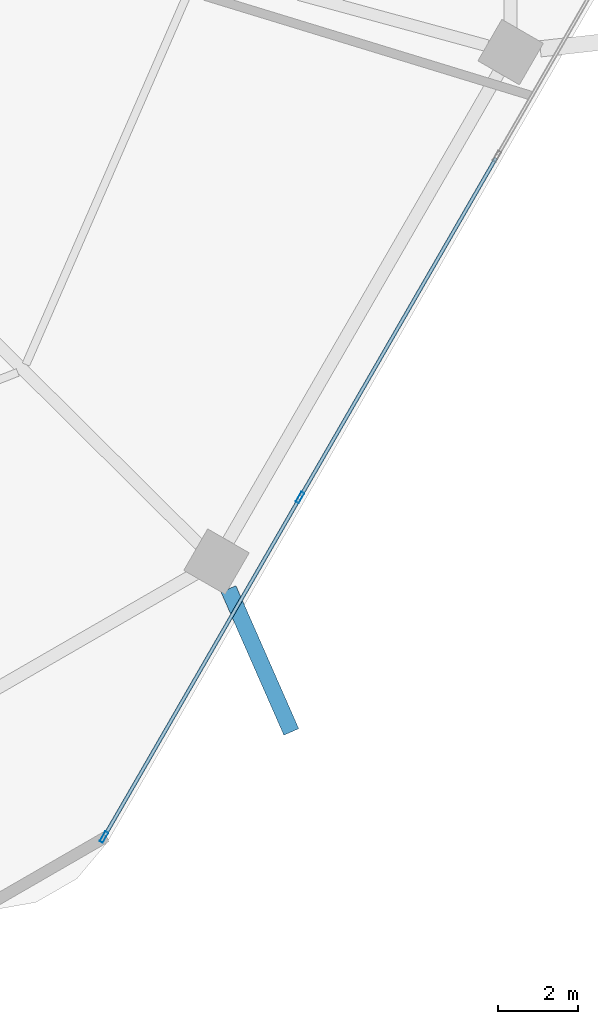
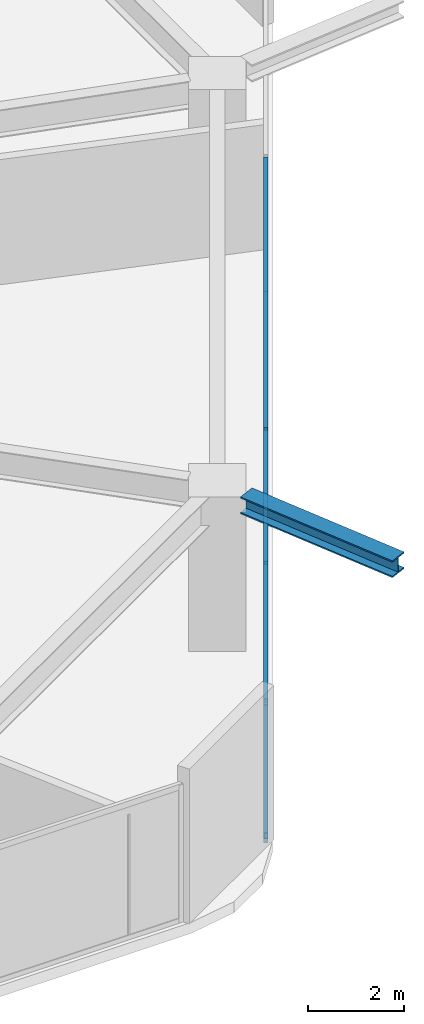
# One storey, part 9 of 25: 6 members, 1 beam, 1 element without a shape of its own.
"""IFC4 building model written with IfcOpenShell, lengths in metres."""

from ifc_helpers import new_model, si_unit, direction, frame, origin, origin_2d, place, context, subcontext, project, spatial, hollow_rectangle, i_section, extrude, material, material_profile, profile_set, type_object, element, aggregate, save


model = new_model("IFC4")

# Units and contexts
model_context = context("Model", 3, precision=1e-05, world=origin(), true_north=direction((0.0, 1.0)))
body_context = subcontext(model_context, "Body", "Model", "MODEL_VIEW")
ifc_project = project(units=[si_unit("LENGTHUNIT", "METRE"), si_unit("AREAUNIT", "SQUARE_METRE"), si_unit("VOLUMEUNIT", "CUBIC_METRE"), si_unit("PLANEANGLEUNIT", "RADIAN"), si_unit("MASSUNIT", "GRAM", prefix="KILO")], contexts=[model_context])

# Site, building, storey
site_placement = place(None, origin())
site = spatial("IfcSite", under=ifc_project, at=site_placement, CompositionType="ELEMENT")
building_placement = place(site_placement, origin())
building = spatial("IfcBuilding", under=site, at=building_placement, Name="Zuhravey Tower", CompositionType="ELEMENT")
storey_placement = place(building_placement, frame((0.0, 0.0, 54.0)))
storey = spatial("IfcBuildingStorey", under=building, at=storey_placement, Name="L13", CompositionType="ELEMENT", Elevation=54.0)

# Curtain wall, members
ifc_material_1 = material(Name="Thermally broken anodised aluminium", Category="aluminium")
curtain_wall_type = type_object("IfcCurtainWallType", Name="School Low-E Unitised Curtain Wall CW1", PredefinedType="NOTDEFINED", material=ifc_material_1)
curtain_wall_placement = place(storey_placement, origin())
curtain_wall = element("IfcCurtainWall", 1, at=curtain_wall_placement, inside=storey, type_object=curtain_wall_type, Name="L13 CW1 CW-L13-F6-1", PredefinedType="NOTDEFINED")
ifc_material_2 = material(Name="Anodised aluminium", Category="aluminium")
ifc_material_profile_1 = material_profile(ifc_material_2, hollow_rectangle(XDim=0.090087890625, YDim=0.284912109375, WallThickness=0.0048828125, at=origin_2d()), Name="ALU-RHS-90x285x5")
ifc_profile_set_1 = profile_set([ifc_material_profile_1], Name="Anodised aluminium")
member_type_1 = type_object("IfcMemberType", Name="Curtain-Wall Mullion 90x180", PredefinedType="MULLION", material=ifc_profile_set_1)
member_1_placement = place(storey_placement, frame((58.612060546875, 13.24853515625, 0.0), z_axis=(0.0, 0.0, 1.0), x_axis=(0.86602552265, -0.499999794119, 0.0)))
member_1 = element("IfcMember", 2, at=member_1_placement, type_object=member_type_1, Name="CW1 mullion 3", PredefinedType="MULLION", context=body_context, shape_type="SweptSolid", body=[
    extrude(hollow_rectangle(XDim=0.090087890625, YDim=0.284912109375, WallThickness=0.0048828125, at=origin_2d()), origin(), (0.0, 0.0, 1.0), 3.491943359375),
])
member_2_placement = place(storey_placement, frame((53.701416015625, 4.742919921875, 0.0), z_axis=(0.0, 0.0, 1.0), x_axis=(0.86602552265, -0.499999794119, 0.0)))
member_2 = element("IfcMember", 3, at=member_2_placement, type_object=member_type_1, Name="CW1 mullion 4", PredefinedType="MULLION", context=body_context, shape_type="SweptSolid", body=[
    extrude(hollow_rectangle(XDim=0.090087890625, YDim=0.284912109375, WallThickness=0.0048828125, at=origin_2d()), origin(), (0.0, 0.0, 1.0), 3.491943359375),
])
ifc_material_profile_2 = material_profile(ifc_material_2, hollow_rectangle(XDim=0.090087890625, YDim=0.14990234375, WallThickness=0.0048828125, at=origin_2d()), Name="ALU-RHS-90x150x5")
ifc_profile_set_2 = profile_set([ifc_material_profile_2], Name="Anodised aluminium")
member_type_2 = type_object("IfcMemberType", Name="Curtain-Wall Transom 90x150", PredefinedType="USERDEFINED", material=ifc_profile_set_2)
member_3_placement = place(storey_placement, frame((63.52294921875, 21.754150390625, 0.044921875), z_axis=(-0.499990498062, -0.866030889661, 0.0), x_axis=(0.866030889661, -0.499990498062, 0.0)))
member_3 = element("IfcMember", 4, at=member_3_placement, type_object=member_type_2, Name="CW1 transom 2.1", ObjectType="TRANSOM", PredefinedType="USERDEFINED", context=body_context, shape_type="SweptSolid", body=[
    extrude(hollow_rectangle(XDim=0.090087890625, YDim=0.14990234375, WallThickness=0.0048828125, at=origin_2d()), origin(), (0.0, 0.0, 1.0), 9.776611328125),
])
member_4_placement = place(storey_placement, frame((63.52294921875, 21.754150390625, 3.447021484375), z_axis=(-0.499990498062, -0.866030889661, 0.0), x_axis=(0.866030889661, -0.499990498062, 0.0)))
member_4 = element("IfcMember", 5, at=member_4_placement, type_object=member_type_2, Name="CW1 transom 2.2", ObjectType="TRANSOM", PredefinedType="USERDEFINED", context=body_context, shape_type="SweptSolid", body=[
    extrude(hollow_rectangle(XDim=0.090087890625, YDim=0.14990234375, WallThickness=0.0048828125, at=origin_2d()), origin(), (0.0, 0.0, 1.0), 9.776611328125),
])
member_5_placement = place(storey_placement, frame((58.589599609375, 13.20947265625, 0.044921875), z_axis=(-0.499989576763, -0.86603142156, 0.0), x_axis=(0.86603142156, -0.499989576763, 0.0)))
member_5 = element("IfcMember", 6, at=member_5_placement, type_object=member_type_2, Name="CW1 transom 3.1", ObjectType="TRANSOM", PredefinedType="USERDEFINED", context=body_context, shape_type="SweptSolid", body=[
    extrude(hollow_rectangle(XDim=0.090087890625, YDim=0.14990234375, WallThickness=0.0048828125, at=origin_2d()), origin(), (0.0, 0.0, 1.0), 9.731201171875),
])
member_6_placement = place(storey_placement, frame((58.589599609375, 13.20947265625, 3.447021484375), z_axis=(-0.499989576763, -0.86603142156, 0.0), x_axis=(0.86603142156, -0.499989576763, 0.0)))
member_6 = element("IfcMember", 7, at=member_6_placement, type_object=member_type_2, Name="CW1 transom 3.2", ObjectType="TRANSOM", PredefinedType="USERDEFINED", context=body_context, shape_type="SweptSolid", body=[
    extrude(hollow_rectangle(XDim=0.090087890625, YDim=0.14990234375, WallThickness=0.0048828125, at=origin_2d()), origin(), (0.0, 0.0, 1.0), 9.731201171875),
])
aggregate(curtain_wall, [member_1, member_2, member_3, member_4, member_5, member_6])

# Beam
ifc_material_3 = material(Name="Steel SM460", Category="steel")
ifc_material_profile_3 = material_profile(ifc_material_3, i_section(OverallWidth=0.406982421875, OverallDepth=0.427978515625, WebThickness=0.02001953125, FlangeThickness=0.034912109375, at=origin_2d()), Name="H-428x407x20x35")
ifc_profile_set_3 = profile_set([ifc_material_profile_3], Name="Steel SM460")
beam_type = type_object("IfcBeamType", Name="Exoskeleton Node Tie Beam H428x407", PredefinedType="BEAM", material=ifc_profile_set_3)
beam_placement = place(storey_placement, frame((56.820068359375, 10.9580078125, 3.7060546875), z_axis=(0.402366403128, -0.915478715009, 0.0), x_axis=(0.915478715009, 0.402366403128, 0.0)))
element("IfcBeam", 8, at=beam_placement, inside=storey, type_object=beam_type, Name="L13 Exoskeleton Node Tie NT1-11", PredefinedType="BEAM", context=body_context, shape_type="SweptSolid", body=[
    extrude(i_section(OverallWidth=0.406982421875, OverallDepth=0.427978515625, WebThickness=0.02001953125, FlangeThickness=0.034912109375, at=origin_2d()), origin(), (0.0, 0.0, 1.0), 3.9130859375),
])

save(model, "model.ifc")
